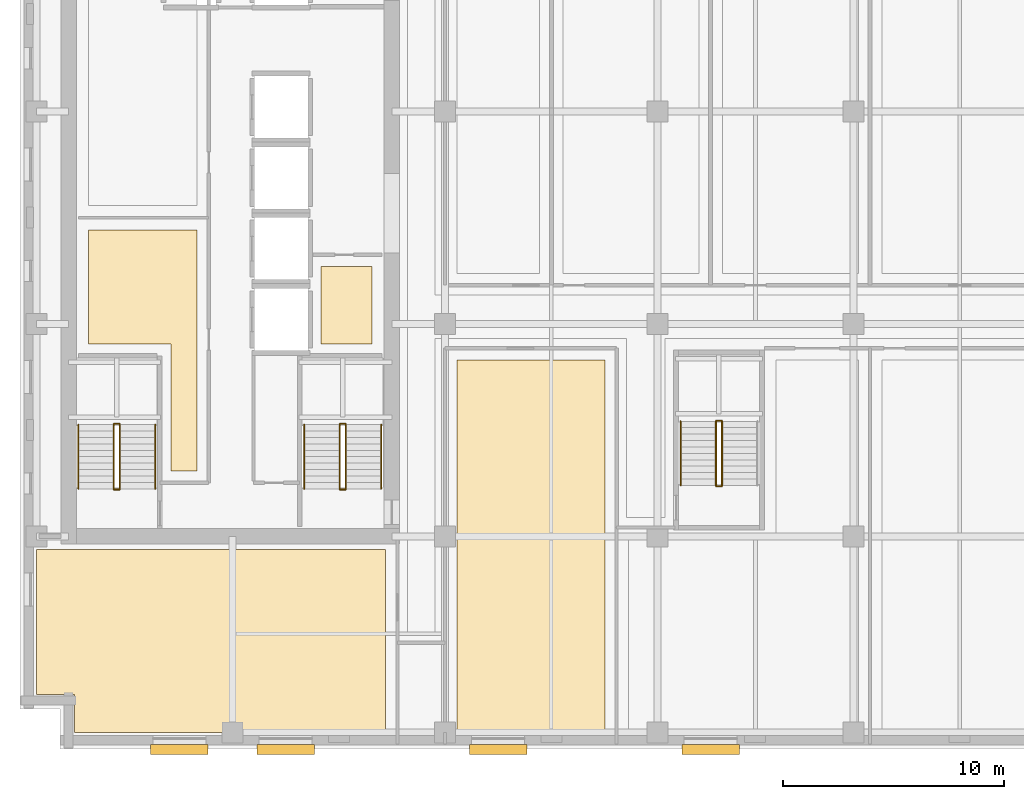
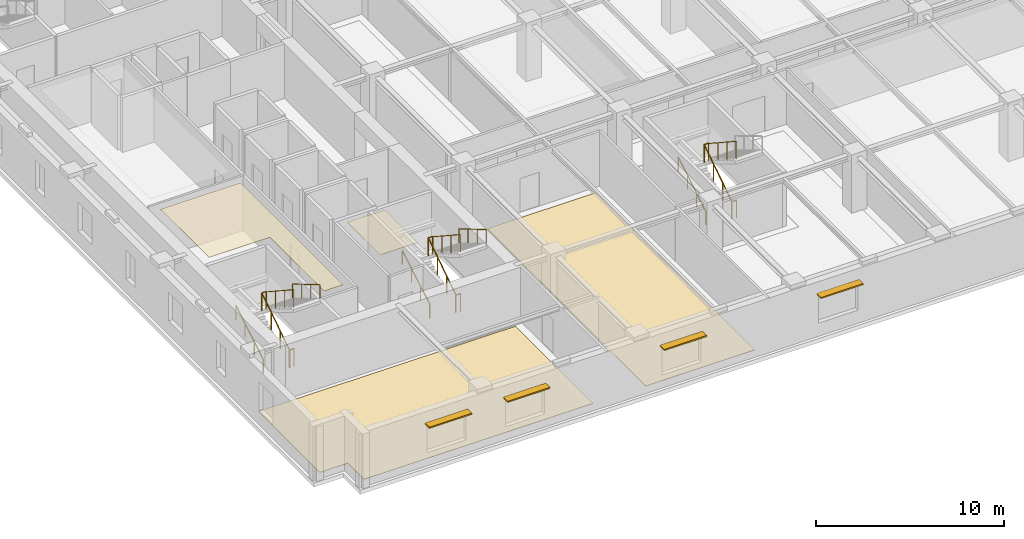
# One storey, part 9 of 13: 17 railings, 4 coverings, 4 shading devices.
"""IFC4 building model written with IfcOpenShell, lengths in metres."""

from ifc_helpers import new_model, si_unit, direction, frame, origin, origin_2d, place, context, subcontext, project, spatial, polyline, rectangle, circle, outline, extrude, material, layer, layer_set, type_object, element, save


model = new_model("IFC4")

# Units and contexts
model_context = context("Model", 3, precision=1e-05, world=origin(), true_north=direction((0.0, 1.0)))
body_context = subcontext(model_context, "Body", "Model", "MODEL_VIEW")
ifc_project = project(units=[si_unit("LENGTHUNIT", "METRE"), si_unit("AREAUNIT", "SQUARE_METRE"), si_unit("VOLUMEUNIT", "CUBIC_METRE"), si_unit("PLANEANGLEUNIT", "RADIAN"), si_unit("MASSUNIT", "GRAM", prefix="KILO")], contexts=[model_context])

# Site, building, storey
site_placement = place(None, origin())
site = spatial("IfcSite", under=ifc_project, at=site_placement, CompositionType="ELEMENT")
building_placement = place(site_placement, origin())
building = spatial("IfcBuilding", under=site, at=building_placement, Name="Norrvale University Quadrangle", CompositionType="ELEMENT")
storey_placement = place(building_placement, frame((0.0, 0.0, 175.0)))
storey = spatial("IfcBuildingStorey", under=building, at=storey_placement, Name="L44", CompositionType="ELEMENT", Elevation=175.0)

# Coverings
ifc_material_1 = material(Name="Perforated Acoustic Mineral Ceiling")
ifc_layer_1 = layer(ifc_material_1, 0.02490234375, Name="Perforated Acoustic Mineral Ceiling")
ifc_layer_set_1 = layer_set([ifc_layer_1], Name="Perforated Acoustic Mineral Ceiling")
covering_type_1 = type_object("IfcCoveringType", Name="Covering Acoustic Ceiling 25", PredefinedType="CEILING", material=ifc_layer_set_1)
covering_1_placement = place(storey_placement, frame((0.0, 0.0, 3.514892578125)))
element("IfcCovering", 1, at=covering_1_placement, inside=storey, type_object=covering_type_1, Name="Acoustic Ceiling RM-L44-REC1", PredefinedType="CEILING", context=body_context, shape_type="SweptSolid", body=[
    extrude(outline(polyline([(3.10009765625, 18.300048828125), (3.10009765625, 23.449951171875), (8.0, 23.449951171875), (8.0, 12.550048828125), (6.830078125, 12.550048828125), (6.830078125, 18.300048828125), (3.10009765625, 18.300048828125)])), origin(), (0.0, 0.0, 1.0), 0.025146484375),
])
ifc_material_2 = material(Name="Polished Terrazzo Flooring")
ifc_layer_2 = layer(ifc_material_2, 0.02490234375, Name="Polished Terrazzo Flooring")
ifc_layer_set_2 = layer_set([ifc_layer_2], Name="Polished Terrazzo Flooring")
covering_type_2 = type_object("IfcCoveringType", Name="Covering Terrazzo Floor 30", PredefinedType="FLOORING", material=ifc_layer_set_2)
covering_2_placement = place(storey_placement, origin())
element("IfcCovering", 2, at=covering_2_placement, inside=storey, type_object=covering_type_2, Name="Terrazzo Flooring RM-L44-JAN", PredefinedType="FLOORING", context=body_context, shape_type="SweptSolid", body=[
    extrude(outline(polyline([(13.60009765625, 18.300048828125), (13.60009765625, 21.800048828125), (15.89990234375, 21.800048828125), (15.89990234375, 18.300048828125), (13.60009765625, 18.300048828125)])), origin(), (0.0, 0.0, 1.0), 0.02490234375),
])
covering_3_placement = place(storey_placement, origin())
element("IfcCovering", 3, at=covering_3_placement, inside=storey, type_object=covering_type_2, Name="Terrazzo Flooring RM-L44-SW1", PredefinedType="FLOORING", context=body_context, shape_type="SweptSolid", body=[
    extrude(outline(polyline([(0.75, 9.0), (16.5, 9.0), (16.5, 0.75), (2.469970703125, 0.75), (2.469970703125, 2.469970703125), (0.75, 2.469970703125), (0.75, 9.0)])), origin(), (0.0, 0.0, 1.0), 0.02490234375),
])
covering_4_placement = place(storey_placement, origin())
element("IfcCovering", 4, at=covering_4_placement, inside=storey, type_object=covering_type_2, Name="Terrazzo Flooring RM-L44-SE1", PredefinedType="FLOORING", context=body_context, shape_type="SweptSolid", body=[
    extrude(outline(polyline([(19.72998046875, 17.570068359375), (26.419921875, 17.570068359375), (26.419921875, 0.75), (19.72998046875, 0.75), (19.72998046875, 17.570068359375)])), origin(), (0.0, 0.0, 1.0), 0.02490234375),
])

# Railings
ifc_material_3 = material(Name="Steel 350W Painted Balustrade", Category="steel")
railing_type_1 = type_object("IfcRailingType", Name="Railing Stair Guard 1100", PredefinedType="GUARDRAIL", material=ifc_material_3)
for number, where, name in (
    (5, (4.239990234375, 11.719970703125, 0.0), "Stair Floor Well Guard ST-01 L44"),
    (6, (4.239990234375, 14.679931640625, 1.89990234375), "Stair Mid-Landing Slot Guard ST-01 L44"),
):
    element("IfcRailing", number, at=place(storey_placement, frame(where)), inside=storey, type_object=railing_type_1, Name=name, PredefinedType="GUARDRAIL", context=body_context, shape_type="SweptSolid", body=[
        extrude(circle(Radius=0.02392578125, at=origin_2d()), frame((0.0, 0.0, 1.1259765625), z_axis=(1.0, 0.0, 0.0), x_axis=(0.0, 1.0, 0.0)), (0.0, 0.0, 1.0), 0.27001953125),
        extrude(circle(Radius=0.02099609375, at=origin_2d()), origin(), (0.0, 0.0, 1.0), 1.101806640625),
        extrude(circle(Radius=0.02099609375, at=origin_2d()), frame((0.27001953125, 0.0, 0.0)), (0.0, 0.0, 1.0), 1.101806640625),
    ])
railing_1_placement = place(storey_placement, frame((4.239990234375, 11.75, 0.0)))
element("IfcRailing", 7, at=railing_1_placement, inside=storey, type_object=railing_type_1, Name="Stair Lower Flight Inner Guard ST-01 L44", PredefinedType="GUARDRAIL", context=body_context, shape_type="SweptSolid", body=[
    extrude(circle(Radius=0.02392578125, at=origin_2d()), frame((0.0, 0.0, 1.1259765625), z_axis=(0.0, 0.836465582154, 0.548019461216), x_axis=(-1.0, 0.0, 0.0)), (0.0, 0.0, 1.0), 3.466796875),
    extrude(circle(Radius=0.02099609375, at=origin_2d()), origin(), (0.0, 0.0, 1.0), 1.101806640625),
    extrude(circle(Radius=0.02099609375, at=origin_2d()), frame((0.0, 0.966552734375, 0.63330078125)), (0.0, 0.0, 1.0), 1.101806640625),
    extrude(circle(Radius=0.02099609375, at=origin_2d()), frame((0.0, 1.933349609375, 1.2666015625)), (0.0, 0.0, 1.0), 1.101806640625),
    extrude(circle(Radius=0.02099609375, at=origin_2d()), frame((0.0, 2.89990234375, 1.89990234375)), (0.0, 0.0, 1.0), 1.101806640625),
])
railing_2_placement = place(storey_placement, frame((4.510009765625, 14.64990234375, 1.89990234375)))
element("IfcRailing", 8, at=railing_2_placement, inside=storey, type_object=railing_type_1, Name="Stair Upper Flight Inner Guard ST-01 L44", PredefinedType="GUARDRAIL", context=body_context, shape_type="SweptSolid", body=[
    extrude(circle(Radius=0.02392578125, at=origin_2d()), frame((0.0, 0.0, 1.1259765625), z_axis=(0.0, -0.836433300813, 0.548068730445), x_axis=(1.0, 0.0, 0.0)), (0.0, 0.0, 1.0), 3.467041015625),
    extrude(circle(Radius=0.02099609375, at=origin_2d()), origin(), (0.0, 0.0, 1.0), 1.101806640625),
    extrude(circle(Radius=0.02099609375, at=origin_2d()), frame((0.0, -0.966552734375, 0.63330078125)), (0.0, 0.0, 1.0), 1.101806640625),
    extrude(circle(Radius=0.02099609375, at=origin_2d()), frame((0.0, -1.933349609375, 1.266845703125)), (0.0, 0.0, 1.0), 1.101806640625),
    extrude(circle(Radius=0.02099609375, at=origin_2d()), frame((0.0, -2.89990234375, 1.900146484375)), (0.0, 0.0, 1.0), 1.101806640625),
])
for number, where, name in (
    (9, (14.43994140625, 11.719970703125, 0.0), "Stair Floor Well Guard ST-03 L44"),
    (10, (14.43994140625, 14.679931640625, 1.89990234375), "Stair Mid-Landing Slot Guard ST-03 L44"),
):
    element("IfcRailing", number, at=place(storey_placement, frame(where)), inside=storey, type_object=railing_type_1, Name=name, PredefinedType="GUARDRAIL", context=body_context, shape_type="SweptSolid", body=[
        extrude(circle(Radius=0.02392578125, at=origin_2d()), frame((0.0, 0.0, 1.1259765625), z_axis=(1.0, 0.0, 0.0), x_axis=(0.0, 1.0, 0.0)), (0.0, 0.0, 1.0), 0.27001953125),
        extrude(circle(Radius=0.02099609375, at=origin_2d()), origin(), (0.0, 0.0, 1.0), 1.101806640625),
        extrude(circle(Radius=0.02099609375, at=origin_2d()), frame((0.27001953125, 0.0, 0.0)), (0.0, 0.0, 1.0), 1.101806640625),
    ])
railing_3_placement = place(storey_placement, frame((14.43994140625, 11.75, 0.0)))
element("IfcRailing", 11, at=railing_3_placement, inside=storey, type_object=railing_type_1, Name="Stair Lower Flight Inner Guard ST-03 L44", PredefinedType="GUARDRAIL", context=body_context, shape_type="SweptSolid", body=[
    extrude(circle(Radius=0.02392578125, at=origin_2d()), frame((0.0, 0.0, 1.1259765625), z_axis=(0.0, 0.836465582154, 0.548019461216), x_axis=(-1.0, 0.0, 0.0)), (0.0, 0.0, 1.0), 3.466796875),
    extrude(circle(Radius=0.02099609375, at=origin_2d()), origin(), (0.0, 0.0, 1.0), 1.101806640625),
    extrude(circle(Radius=0.02099609375, at=origin_2d()), frame((0.0, 0.966552734375, 0.63330078125)), (0.0, 0.0, 1.0), 1.101806640625),
    extrude(circle(Radius=0.02099609375, at=origin_2d()), frame((0.0, 1.933349609375, 1.2666015625)), (0.0, 0.0, 1.0), 1.101806640625),
    extrude(circle(Radius=0.02099609375, at=origin_2d()), frame((0.0, 2.89990234375, 1.89990234375)), (0.0, 0.0, 1.0), 1.101806640625),
])
railing_4_placement = place(storey_placement, frame((14.7099609375, 14.64990234375, 1.89990234375)))
element("IfcRailing", 12, at=railing_4_placement, inside=storey, type_object=railing_type_1, Name="Stair Upper Flight Inner Guard ST-03 L44", PredefinedType="GUARDRAIL", context=body_context, shape_type="SweptSolid", body=[
    extrude(circle(Radius=0.02392578125, at=origin_2d()), frame((0.0, 0.0, 1.1259765625), z_axis=(0.0, -0.836433300813, 0.548068730445), x_axis=(1.0, 0.0, 0.0)), (0.0, 0.0, 1.0), 3.467041015625),
    extrude(circle(Radius=0.02099609375, at=origin_2d()), origin(), (0.0, 0.0, 1.0), 1.101806640625),
    extrude(circle(Radius=0.02099609375, at=origin_2d()), frame((0.0, -0.966552734375, 0.63330078125)), (0.0, 0.0, 1.0), 1.101806640625),
    extrude(circle(Radius=0.02099609375, at=origin_2d()), frame((0.0, -1.933349609375, 1.266845703125)), (0.0, 0.0, 1.0), 1.101806640625),
    extrude(circle(Radius=0.02099609375, at=origin_2d()), frame((0.0, -2.89990234375, 1.900146484375)), (0.0, 0.0, 1.0), 1.101806640625),
])
for number, where, name in (
    (13, (31.43994140625, 11.8701171875, 0.0), "Stair Floor Well Guard ST-04 L44"),
    (14, (31.43994140625, 14.830078125, 1.89990234375), "Stair Mid-Landing Slot Guard ST-04 L44"),
):
    element("IfcRailing", number, at=place(storey_placement, frame(where)), inside=storey, type_object=railing_type_1, Name=name, PredefinedType="GUARDRAIL", context=body_context, shape_type="SweptSolid", body=[
        extrude(circle(Radius=0.02392578125, at=origin_2d()), frame((0.0, 0.0, 1.1259765625), z_axis=(1.0, 0.0, 0.0), x_axis=(0.0, 1.0, 0.0)), (0.0, 0.0, 1.0), 0.27001953125),
        extrude(circle(Radius=0.02099609375, at=origin_2d()), origin(), (0.0, 0.0, 1.0), 1.101806640625),
        extrude(circle(Radius=0.02099609375, at=origin_2d()), frame((0.27001953125, 0.0, 0.0)), (0.0, 0.0, 1.0), 1.101806640625),
    ])
railing_5_placement = place(storey_placement, frame((31.43994140625, 11.89990234375, 0.0)))
element("IfcRailing", 15, at=railing_5_placement, inside=storey, type_object=railing_type_1, Name="Stair Lower Flight Inner Guard ST-04 L44", PredefinedType="GUARDRAIL", context=body_context, shape_type="SweptSolid", body=[
    extrude(circle(Radius=0.02392578125, at=origin_2d()), frame((0.0, 0.0, 1.1259765625), z_axis=(0.0, 0.836486729621, 0.547987181573), x_axis=(-1.0, 0.0, 0.0)), (0.0, 0.0, 1.0), 3.467041015625),
    extrude(circle(Radius=0.02099609375, at=origin_2d()), origin(), (0.0, 0.0, 1.0), 1.101806640625),
    extrude(circle(Radius=0.02099609375, at=origin_2d()), frame((0.0, 0.966796875, 0.63330078125)), (0.0, 0.0, 1.0), 1.101806640625),
    extrude(circle(Radius=0.02099609375, at=origin_2d()), frame((0.0, 1.933349609375, 1.2666015625)), (0.0, 0.0, 1.0), 1.101806640625),
    extrude(circle(Radius=0.02099609375, at=origin_2d()), frame((0.0, 2.900146484375, 1.89990234375)), (0.0, 0.0, 1.0), 1.101806640625),
])
railing_6_placement = place(storey_placement, frame((31.7099609375, 14.800048828125, 1.89990234375)))
element("IfcRailing", 16, at=railing_6_placement, inside=storey, type_object=railing_type_1, Name="Stair Upper Flight Inner Guard ST-04 L44", PredefinedType="GUARDRAIL", context=body_context, shape_type="SweptSolid", body=[
    extrude(circle(Radius=0.02392578125, at=origin_2d()), frame((0.0, 0.0, 1.1259765625), z_axis=(0.0, -0.836454451266, 0.548036450392), x_axis=(1.0, 0.0, 0.0)), (0.0, 0.0, 1.0), 3.46728515625),
    extrude(circle(Radius=0.02099609375, at=origin_2d()), origin(), (0.0, 0.0, 1.0), 1.101806640625),
    extrude(circle(Radius=0.02099609375, at=origin_2d()), frame((0.0, -0.966796875, 0.63330078125)), (0.0, 0.0, 1.0), 1.101806640625),
    extrude(circle(Radius=0.02099609375, at=origin_2d()), frame((0.0, -1.933349609375, 1.266845703125)), (0.0, 0.0, 1.0), 1.101806640625),
    extrude(circle(Radius=0.02099609375, at=origin_2d()), frame((0.0, -2.900146484375, 1.900146484375)), (0.0, 0.0, 1.0), 1.101806640625),
])
ifc_material_4 = material(Name="Stainless Steel 316L Handrail", Category="steel")
railing_type_2 = type_object("IfcRailingType", Name="Railing Stair Handrail 920", PredefinedType="HANDRAIL", material=ifc_material_4)
railing_7_placement = place(storey_placement, frame((2.639892578125, 11.75, 0.172607421875)))
element("IfcRailing", 17, at=railing_7_placement, inside=storey, type_object=railing_type_2, Name="Stair Lower Flight Handrail ST-01 L44", PredefinedType="HANDRAIL", context=body_context, shape_type="SweptSolid", body=[
    extrude(circle(Radius=0.02392578125, at=origin_2d()), frame((0.0, 0.0, 0.89599609375), z_axis=(0.0, 0.859141464434, 0.511738159696), x_axis=(-1.0, 0.0, 0.0)), (0.0, 0.0, 1.0), 3.375244140625),
    extrude(circle(Radius=0.02099609375, at=origin_2d()), origin(), (0.0, 0.0, 1.0), 0.871826171875),
    extrude(circle(Radius=0.02099609375, at=origin_2d()), frame((0.0, 0.966552734375, 0.57568359375)), (0.0, 0.0, 1.0), 0.871826171875),
    extrude(circle(Radius=0.02099609375, at=origin_2d()), frame((0.0, 1.933349609375, 1.151611328125)), (0.0, 0.0, 1.0), 0.871826171875),
    extrude(circle(Radius=0.02099609375, at=origin_2d()), frame((0.0, 2.89990234375, 1.727294921875)), (0.0, 0.0, 1.0), 0.871826171875),
])
railing_8_placement = place(storey_placement, frame((6.110107421875, 14.64990234375, 2.07275390625)))
element("IfcRailing", 18, at=railing_8_placement, inside=storey, type_object=railing_type_2, Name="Stair Upper Flight Handrail ST-01 L44", PredefinedType="HANDRAIL", context=body_context, shape_type="SweptSolid", body=[
    extrude(circle(Radius=0.02392578125, at=origin_2d()), frame((0.0, 0.0, 0.89599609375), z_axis=(0.0, -0.859141464434, 0.511738159696), x_axis=(1.0, 0.0, 0.0)), (0.0, 0.0, 1.0), 3.375244140625),
    extrude(circle(Radius=0.02099609375, at=origin_2d()), origin(), (0.0, 0.0, 1.0), 0.871826171875),
    extrude(circle(Radius=0.02099609375, at=origin_2d()), frame((0.0, -0.966552734375, 0.57568359375)), (0.0, 0.0, 1.0), 0.871826171875),
    extrude(circle(Radius=0.02099609375, at=origin_2d()), frame((0.0, -1.933349609375, 1.151611328125)), (0.0, 0.0, 1.0), 0.871826171875),
    extrude(circle(Radius=0.02099609375, at=origin_2d()), frame((0.0, -2.89990234375, 1.727294921875)), (0.0, 0.0, 1.0), 0.871826171875),
])
railing_9_placement = place(storey_placement, frame((12.840087890625, 11.75, 0.172607421875)))
element("IfcRailing", 19, at=railing_9_placement, inside=storey, type_object=railing_type_2, Name="Stair Lower Flight Handrail ST-03 L44", PredefinedType="HANDRAIL", context=body_context, shape_type="SweptSolid", body=[
    extrude(circle(Radius=0.02392578125, at=origin_2d()), frame((0.0, 0.0, 0.89599609375), z_axis=(0.0, 0.859141464434, 0.511738159696), x_axis=(-1.0, 0.0, 0.0)), (0.0, 0.0, 1.0), 3.375244140625),
    extrude(circle(Radius=0.02099609375, at=origin_2d()), origin(), (0.0, 0.0, 1.0), 0.871826171875),
    extrude(circle(Radius=0.02099609375, at=origin_2d()), frame((0.0, 0.966552734375, 0.57568359375)), (0.0, 0.0, 1.0), 0.871826171875),
    extrude(circle(Radius=0.02099609375, at=origin_2d()), frame((0.0, 1.933349609375, 1.151611328125)), (0.0, 0.0, 1.0), 0.871826171875),
    extrude(circle(Radius=0.02099609375, at=origin_2d()), frame((0.0, 2.89990234375, 1.727294921875)), (0.0, 0.0, 1.0), 0.871826171875),
])
railing_10_placement = place(storey_placement, frame((16.31005859375, 14.64990234375, 2.07275390625)))
element("IfcRailing", 20, at=railing_10_placement, inside=storey, type_object=railing_type_2, Name="Stair Upper Flight Handrail ST-03 L44", PredefinedType="HANDRAIL", context=body_context, shape_type="SweptSolid", body=[
    extrude(circle(Radius=0.02392578125, at=origin_2d()), frame((0.0, 0.0, 0.89599609375), z_axis=(0.0, -0.859141464434, 0.511738159696), x_axis=(1.0, 0.0, 0.0)), (0.0, 0.0, 1.0), 3.375244140625),
    extrude(circle(Radius=0.02099609375, at=origin_2d()), origin(), (0.0, 0.0, 1.0), 0.871826171875),
    extrude(circle(Radius=0.02099609375, at=origin_2d()), frame((0.0, -0.966552734375, 0.57568359375)), (0.0, 0.0, 1.0), 0.871826171875),
    extrude(circle(Radius=0.02099609375, at=origin_2d()), frame((0.0, -1.933349609375, 1.151611328125)), (0.0, 0.0, 1.0), 0.871826171875),
    extrude(circle(Radius=0.02099609375, at=origin_2d()), frame((0.0, -2.89990234375, 1.727294921875)), (0.0, 0.0, 1.0), 0.871826171875),
])
railing_11_placement = place(storey_placement, frame((29.840087890625, 11.89990234375, 0.172607421875)))
element("IfcRailing", 21, at=railing_11_placement, inside=storey, type_object=railing_type_2, Name="Stair Lower Flight Handrail ST-04 L44", PredefinedType="HANDRAIL", context=body_context, shape_type="SweptSolid", body=[
    extrude(circle(Radius=0.02392578125, at=origin_2d()), frame((0.0, 0.0, 0.89599609375), z_axis=(0.0, 0.859160404282, 0.51170636083), x_axis=(-1.0, 0.0, 0.0)), (0.0, 0.0, 1.0), 3.37548828125),
    extrude(circle(Radius=0.02099609375, at=origin_2d()), origin(), (0.0, 0.0, 1.0), 0.871826171875),
    extrude(circle(Radius=0.02099609375, at=origin_2d()), frame((0.0, 0.966796875, 0.57568359375)), (0.0, 0.0, 1.0), 0.871826171875),
    extrude(circle(Radius=0.02099609375, at=origin_2d()), frame((0.0, 1.933349609375, 1.151611328125)), (0.0, 0.0, 1.0), 0.871826171875),
    extrude(circle(Radius=0.02099609375, at=origin_2d()), frame((0.0, 2.900146484375, 1.727294921875)), (0.0, 0.0, 1.0), 0.871826171875),
])

# Shading devices
ifc_material_5 = material(Name="Anodized Aluminium 6063-T6", Category="aluminium")
ifc_layer_3 = layer(ifc_material_5, 0.080078125, Name="Anodized Aluminium 6063-T6")
ifc_layer_set_3 = layer_set([ifc_layer_3], Name="Anodized Aluminium 6063-T6")
shading_device_type = type_object("IfcShadingDeviceType", Name="Shade South Sunshade 450", PredefinedType="USERDEFINED", material=ifc_layer_set_3)
for number, where, z_axis, x_axis, name in (
    (22, (7.199951171875, -0.02001953125, 2.719970703125), (0.0, 0.0, 1.0), (1.0, 0.0, 0.0), "South Solar Brise-Soleil 31"),
    (23, (12.0, -0.02001953125, 2.719970703125), (0.0, 0.0, 1.0), (1.0, 0.0, 0.0), "South Solar Brise-Soleil 32"),
    (24, (21.60009765625, -0.02001953125, 2.719970703125), (0.0, 0.0, 1.0), (1.0, 0.0, 0.0), "South Solar Brise-Soleil 33"),
    (25, (31.199951171875, -0.02001953125, 2.719970703125), (0.0, 0.0, 1.0), (1.0, 0.0, 0.0), "South Solar Brise-Soleil 34"),
):
    element("IfcShadingDevice", number, at=place(storey_placement, frame(where, z_axis=z_axis, x_axis=x_axis)), inside=storey, type_object=shading_device_type, Name=name, ObjectType="SUNSHADE", PredefinedType="USERDEFINED", context=body_context, shape_type="SweptSolid", body=[
        extrude(rectangle(XDim=2.60009765625, YDim=0.449951171875, at=origin_2d()), origin(), (0.0, 0.0, 1.0), 0.080078125),
    ])

save(model, "model.ifc")
